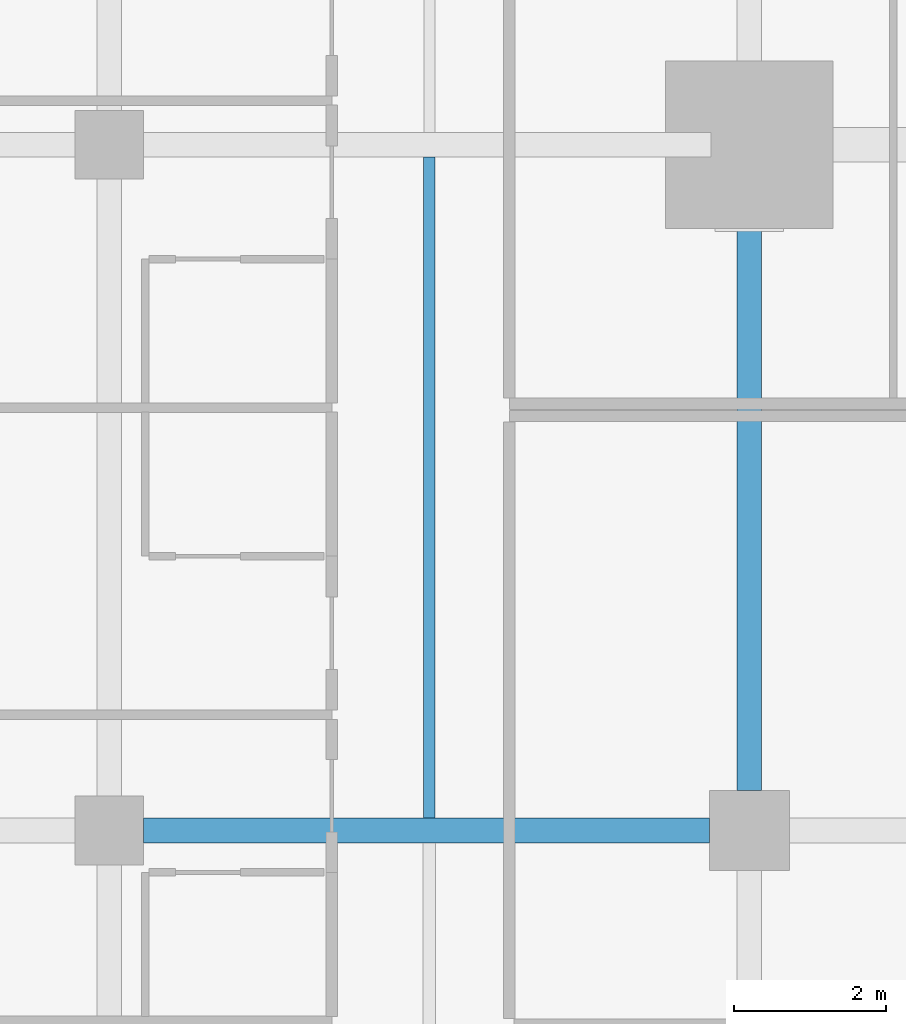
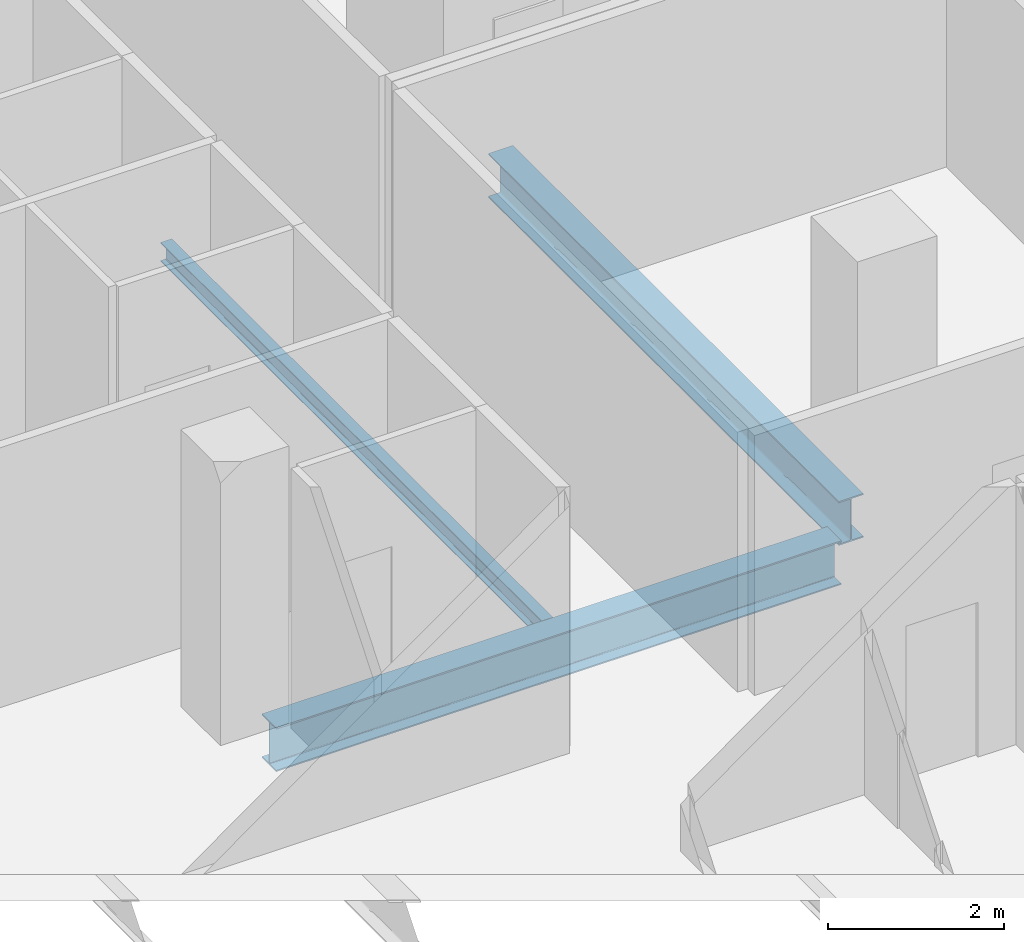
# One storey, part 11 of 40: 3 beams.
"""IFC4 building model written with IfcOpenShell, lengths in metres."""

import ifcopenshell
import ifcopenshell.guid

model = None  # the IFC model being written
_history = None  # IfcOwnerHistory: only IFC2X3 demands one
_inside = {}  # id of a spatial element -> (the spatial element, [elements in it])
_under = {}  # id of a project, library or spatial element -> (it, [spatial elements below it])
_declared = {}  # id of a project -> (the project, [libraries it declares])
_typed = {}  # id of a type object -> (the type object, [elements of that type])
_made_of = {}  # id of a material, layer set ... -> (it, [elements and type objects made of it])


def new_model(schema):
    """Start an empty IFC model of exactly this schema.

    Asked for "IFC4X3", IfcOpenShell would pick the latest addendum, in which some entities
    have other attributes; the version numbers below select the first issue.
    IFC2X3 requires an IfcOwnerHistory on every rooted entity: one is made here for all.
    """
    global model, _history
    if schema == "IFC4X3":
        model = ifcopenshell.file(schema_version=(4, 3, 0, 0))
    else:
        model = ifcopenshell.file(schema=schema)
    _inside.clear()
    _under.clear()
    _declared.clear()
    _typed.clear()
    _made_of.clear()
    _history = None
    if model.schema == "IFC2X3":
        org = make("IfcOrganization", Name="unknown")
        user = make(
            "IfcPersonAndOrganization",
            ThePerson=make("IfcPerson", FamilyName="unknown"),
            TheOrganization=org,
        )
        app = make(
            "IfcApplication",
            ApplicationDeveloper=org,
            Version="unknown",
            ApplicationFullName="unknown",
            ApplicationIdentifier="unknown",
        )
        _history = make(
            "IfcOwnerHistory",
            OwningUser=user,
            OwningApplication=app,
            ChangeAction="ADDED",
            CreationDate=0,
        )
    return model


def make(cls, **values):
    """One entity of the class cls with the attributes given. An attribute that is None is left unset."""
    return model.create_entity(
        cls, **{name: value for name, value in values.items() if value is not None}
    )


def rooted(cls, **values):
    """An entity with a GlobalId (a new one), such as an element, a storey or a relation."""
    return make(cls, GlobalId=ifcopenshell.guid.new(), OwnerHistory=_history, **values)


def si_unit(unit_type, name, prefix=None):
    """IfcSIUnit, for example si_unit("LENGTHUNIT", "METRE", prefix="MILLI")."""
    return make("IfcSIUnit", UnitType=unit_type, Prefix=prefix, Name=name)


def assignment(units):
    """IfcUnitAssignment: the units of a project."""
    return None if units is None else make("IfcUnitAssignment", Units=units)


def point(xyz):
    """IfcCartesianPoint."""
    return None if xyz is None else make("IfcCartesianPoint", Coordinates=xyz)


def direction(xyz):
    """IfcDirection."""
    return None if xyz is None else make("IfcDirection", DirectionRatios=xyz)


def frame(location, z_axis=None, x_axis=None):
    """IfcAxis2Placement3D, a coordinate frame: its origin and axes. An axis left out is left unset."""
    return make(
        "IfcAxis2Placement3D",
        Location=point(location),
        Axis=direction(z_axis),
        RefDirection=direction(x_axis),
    )


def frame_2d(location, x_axis=None):
    """IfcAxis2Placement2D, a coordinate frame in the plane: its origin and x axis."""
    return make(
        "IfcAxis2Placement2D", Location=point(location), RefDirection=direction(x_axis)
    )


def origin():
    """The frame at (0, 0, 0) with its axes left unset."""
    return frame((0.0, 0.0, 0.0))


def origin_2d():
    """The frame at (0, 0) in the plane with its x axis left unset."""
    return frame_2d((0.0, 0.0))


def place(relative_to, where):
    """IfcLocalPlacement: puts the frame where relative to a parent placement (None: the world)."""
    return make(
        "IfcLocalPlacement", PlacementRelTo=relative_to, RelativePlacement=where
    )


def context(
    kind, dimensions, precision=None, world=None, true_north=None, identifier=None
):
    """IfcGeometricRepresentationContext, for example the 3D "Model" context."""
    return make(
        "IfcGeometricRepresentationContext",
        ContextIdentifier=identifier,
        ContextType=kind,
        CoordinateSpaceDimension=dimensions,
        Precision=precision,
        WorldCoordinateSystem=world,
        TrueNorth=true_north,
    )


def subcontext(parent, identifier, kind, view, scale=None):
    """IfcGeometricRepresentationSubContext, for example "Body" below "Model"."""
    return make(
        "IfcGeometricRepresentationSubContext",
        ContextIdentifier=identifier,
        ContextType=kind,
        ParentContext=parent,
        TargetScale=scale,
        TargetView=view,
    )


def project(units=None, contexts=None):
    """IfcProject with its units and contexts."""
    return rooted(
        "IfcProject",
        Name="project",
        RepresentationContexts=contexts,
        UnitsInContext=assignment(units),
    )


def spatial(cls, under=None, at=None, **own):
    """A site, building, storey or space (cls), placed at a placement, below another one or the project."""
    s = rooted(cls, ObjectPlacement=at, **own)
    if under is not None:
        _under.setdefault(under.id(), (under, []))[1].append(s)
    return s


def profile(cls, at=None, kind="AREA", **sizes):
    """A parametric profile (cls). Its sizes go by their IFC names, for example OverallWidth=200.0."""
    return make(cls, ProfileType=kind, Position=at, **sizes)


def i_section(**sizes):
    """IfcIShapeProfileDef."""
    return profile("IfcIShapeProfileDef", **sizes)


def extrude(swept, where, along, depth):
    """IfcExtrudedAreaSolid: the profile swept, set in the frame where, extruded along a direction by depth."""
    return make(
        "IfcExtrudedAreaSolid",
        SweptArea=swept,
        Position=where,
        ExtrudedDirection=direction(along),
        Depth=depth,
    )


def shape(context_of_items, identifier, shape_type, items):
    """IfcShapeRepresentation: the items that make up one representation, for example the "Body"."""
    return make(
        "IfcShapeRepresentation",
        ContextOfItems=context_of_items,
        RepresentationIdentifier=identifier,
        RepresentationType=shape_type,
        Items=items,
    )


def material(Name=None, Category=None):
    """IfcMaterial."""
    return make("IfcMaterial", Name=Name, Category=Category)


def material_profile(
    of_material, cross_section, Name=None, Category=None, Priority=None
):
    """IfcMaterialProfile: a cross section and its material."""
    return make(
        "IfcMaterialProfile",
        Name=Name,
        Material=of_material,
        Profile=cross_section,
        Priority=Priority,
        Category=Category,
    )


def profile_set(profiles, Name=None, composite=None):
    """IfcMaterialProfileSet."""
    return make(
        "IfcMaterialProfileSet",
        Name=Name,
        MaterialProfiles=profiles,
        CompositeProfile=composite,
    )


def made_of(thing, what):
    """Note that an element or type object is made of a material, layer set ...; save() writes the relation."""
    if what is not None:
        _made_of.setdefault(what.id(), (what, []))[1].append(thing)
    return thing


def type_object(cls, material=None, **own):
    """A type object (cls), such as IfcWallType, which elements share."""
    return made_of(rooted(cls, **own), material)


def element(
    cls,
    number,
    at=None,
    inside=None,
    cuts=None,
    type_object=None,
    material=None,
    context=None,
    identifier="Body",
    shape_type=None,
    held_by="IfcProductDefinitionShape",
    body=None,
    shapes=None,
    **own,
):
    """One element of the class cls, such as IfcWall. Its Tag is "e" and its number.

    at: its placement. inside: the storey or other place that contains it. cuts: it is an
    opening in that element (IfcRelVoidsElement). A single representation is given by context,
    identifier, shape_type and body (its items); several are given by shapes. held_by: the class
    of the entity that holds the representations. save() writes the other relations.
    """
    e = rooted(cls, Tag="e%d" % number, ObjectPlacement=at, **own)
    if body is not None:
        shapes = [shape(context, identifier, shape_type, body)]
    if shapes is not None:
        e.Representation = make(held_by, Representations=shapes)
    if inside is not None:
        _inside.setdefault(inside.id(), (inside, []))[1].append(e)
    if cuts is not None:
        rooted(
            "IfcRelVoidsElement", RelatingBuildingElement=cuts, RelatedOpeningElement=e
        )
    if type_object is not None:
        _typed.setdefault(type_object.id(), (type_object, []))[1].append(e)
    return made_of(e, material)


def aggregate(whole, parts):
    """IfcRelAggregates: a whole, such as a stair, and the parts it consists of."""
    return rooted("IfcRelAggregates", RelatingObject=whole, RelatedObjects=parts)


def save(model, path):
    """Write the relations noted so far, then the file.

    IfcRelAggregates (storeys below a building ...), IfcRelContainedInSpatialStructure (elements
    in a storey), IfcRelDefinesByType, IfcRelAssociatesMaterial and IfcRelDeclares: one each for
    every whole, place, type object, material and project.
    """
    for whole, parts in _under.values():
        aggregate(whole, parts)
    for where, things in _inside.values():
        rooted(
            "IfcRelContainedInSpatialStructure",
            RelatedElements=things,
            RelatingStructure=where,
        )
    for kind, things in _typed.values():
        rooted("IfcRelDefinesByType", RelatedObjects=things, RelatingType=kind)
    for what, things in _made_of.values():
        rooted("IfcRelAssociatesMaterial", RelatedObjects=things, RelatingMaterial=what)
    for by, libraries in _declared.values():
        rooted("IfcRelDeclares", RelatingContext=by, RelatedDefinitions=libraries)
    model.write(path)


model = new_model("IFC4")

# Units and contexts
model_context = context("Model", 3, precision=1e-05, world=origin(), true_north=direction((0.0, 1.0)))
body_context = subcontext(model_context, "Body", "Model", "MODEL_VIEW")
ifc_project = project(units=[si_unit("LENGTHUNIT", "METRE"), si_unit("AREAUNIT", "SQUARE_METRE"), si_unit("VOLUMEUNIT", "CUBIC_METRE"), si_unit("PLANEANGLEUNIT", "RADIAN"), si_unit("MASSUNIT", "GRAM", prefix="KILO")], contexts=[model_context])

# Site, building, storey
site_placement = place(None, origin())
site = spatial("IfcSite", under=ifc_project, at=site_placement, CompositionType="ELEMENT")
building_placement = place(site_placement, origin())
building = spatial("IfcBuilding", under=site, at=building_placement, Name="Maruvema Waterfront Hotel and Observation Tower", CompositionType="ELEMENT")
storey_placement = place(building_placement, frame((0.0, 0.0, 80.85009765625)))
storey = spatial("IfcBuildingStorey", under=building, at=storey_placement, Name="L19", CompositionType="ELEMENT", Elevation=80.85009765625)

# Beams
ifc_material_1 = material(Name="Steel ASTM A572 Grade 50", Category="steel")
ifc_material_profile_1 = material_profile(ifc_material_1, i_section(OverallWidth=0.323974609375, OverallDepth=0.611083984375, WebThickness=0.0126953125, FlangeThickness=0.01904296875, FilletRadius=0.01806640625, at=origin_2d()), Name="W610x155.0")
ifc_profile_set_1 = profile_set([ifc_material_profile_1], Name="Steel ASTM A572 Grade 50")
beam_type_1 = type_object("IfcBeamType", Name="Primary Floor Girder W610x155.0", PredefinedType="BEAM", material=ifc_profile_set_1)
beam_1_placement = place(storey_placement, frame((17.25, 18.0, -0.545654296875), z_axis=(1.0, 0.0, 0.0), x_axis=(0.0, 1.0, 0.0)))
element("IfcBeam", 1, at=beam_1_placement, inside=storey, type_object=beam_type_1, Name="L19 Floor Girder EW-14", PredefinedType="BEAM", context=body_context, shape_type="SweptSolid", body=[
    extrude(i_section(OverallWidth=0.323974609375, OverallDepth=0.611083984375, WebThickness=0.0126953125, FlangeThickness=0.01904296875, FilletRadius=0.01806640625, at=origin_2d()), origin(), (0.0, 0.0, 1.0), 7.425048828125),
])
beam_2_placement = place(storey_placement, frame((25.199951171875, 18.52490234375, -0.545654296875), z_axis=(0.0, 1.0, 0.0), x_axis=(-1.0, 0.0, 0.0)))
element("IfcBeam", 2, at=beam_2_placement, inside=storey, type_object=beam_type_1, Name="L19 Floor Girder NS-13", PredefinedType="BEAM", context=body_context, shape_type="SweptSolid", body=[
    extrude(i_section(OverallWidth=0.323974609375, OverallDepth=0.611083984375, WebThickness=0.0126953125, FlangeThickness=0.01904296875, FilletRadius=0.01806640625, at=origin_2d()), origin(), (0.0, 0.0, 1.0), 7.97509765625),
])
ifc_material_2 = material(Name="Steel ASTM A572 Grade 50", Category="steel")
ifc_material_profile_2 = material_profile(ifc_material_2, i_section(OverallWidth=0.14794921875, OverallDepth=0.26611328125, WebThickness=0.007568359375, FlangeThickness=0.012939453125, FilletRadius=0.012939453125, at=origin_2d()), Name="W250x44.8")
ifc_profile_set_2 = profile_set([ifc_material_profile_2], Name="Steel ASTM A572 Grade 50")
beam_type_2 = type_object("IfcBeamType", Name="Secondary Floor Joist W250x44.8", PredefinedType="JOIST", material=ifc_profile_set_2)
beam_3_placement = place(storey_placement, frame((21.0, 18.162109375, -0.373046875), z_axis=(0.0, 1.0, 0.0), x_axis=(-1.0, 0.0, 0.0)))
element("IfcBeam", 3, at=beam_3_placement, inside=storey, type_object=beam_type_2, Name="L19 Secondary Floor Joist JS-07", PredefinedType="JOIST", context=body_context, shape_type="SweptSolid", body=[
    extrude(i_section(OverallWidth=0.14794921875, OverallDepth=0.26611328125, WebThickness=0.007568359375, FlangeThickness=0.012939453125, FilletRadius=0.012939453125, at=origin_2d()), origin(), (0.0, 0.0, 1.0), 8.67578125),
])

save(model, "model.ifc")
